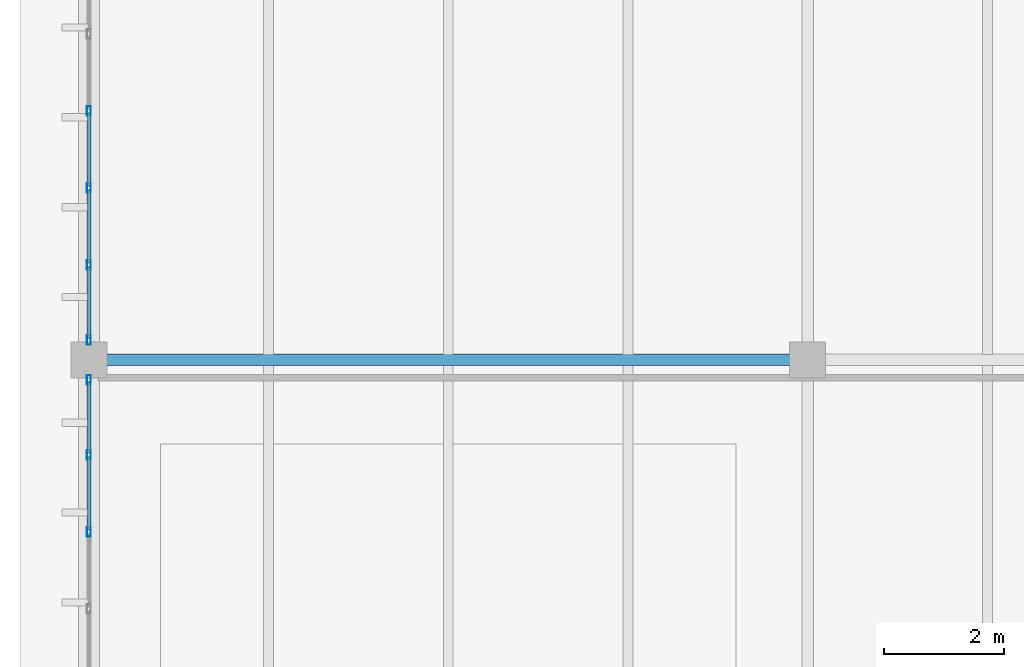
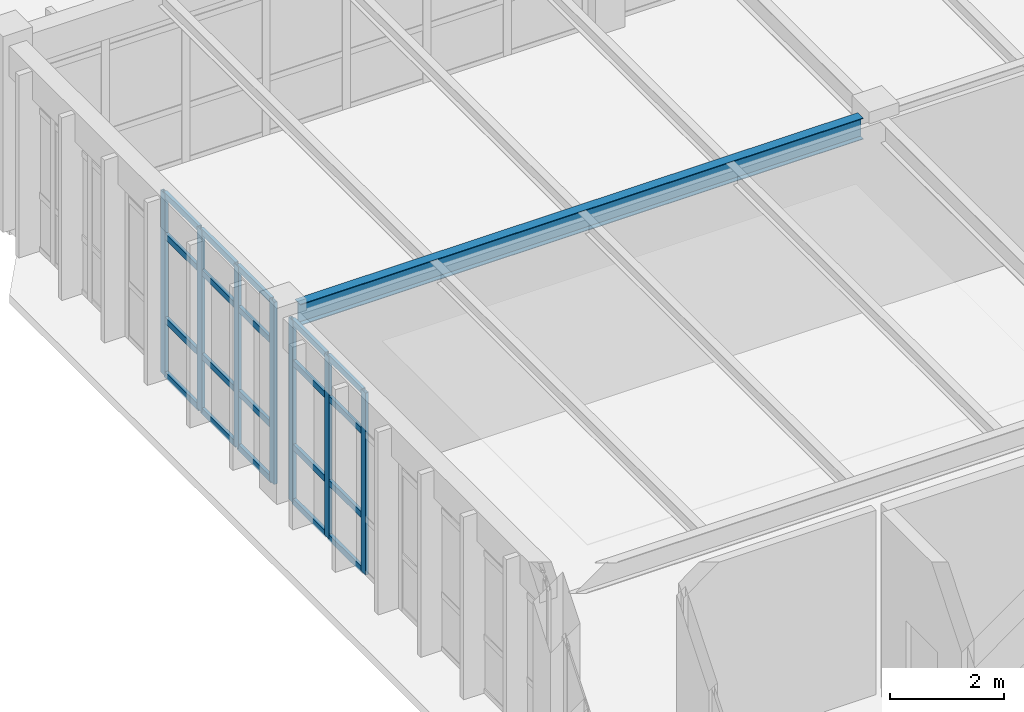
# One storey, part 16 of 37: 27 members, 1 beam, 2 elements without a shape of their own.
"""IFC4 building model written with IfcOpenShell, lengths in metres."""

import ifcopenshell
import ifcopenshell.guid

model = None  # the IFC model being written
_history = None  # IfcOwnerHistory: only IFC2X3 demands one
_inside = {}  # id of a spatial element -> (the spatial element, [elements in it])
_under = {}  # id of a project, library or spatial element -> (it, [spatial elements below it])
_declared = {}  # id of a project -> (the project, [libraries it declares])
_typed = {}  # id of a type object -> (the type object, [elements of that type])
_made_of = {}  # id of a material, layer set ... -> (it, [elements and type objects made of it])


def new_model(schema):
    """Start an empty IFC model of exactly this schema.

    Asked for "IFC4X3", IfcOpenShell would pick the latest addendum, in which some entities
    have other attributes; the version numbers below select the first issue.
    IFC2X3 requires an IfcOwnerHistory on every rooted entity: one is made here for all.
    """
    global model, _history
    if schema == "IFC4X3":
        model = ifcopenshell.file(schema_version=(4, 3, 0, 0))
    else:
        model = ifcopenshell.file(schema=schema)
    _inside.clear()
    _under.clear()
    _declared.clear()
    _typed.clear()
    _made_of.clear()
    _history = None
    if model.schema == "IFC2X3":
        org = make("IfcOrganization", Name="unknown")
        user = make(
            "IfcPersonAndOrganization",
            ThePerson=make("IfcPerson", FamilyName="unknown"),
            TheOrganization=org,
        )
        app = make(
            "IfcApplication",
            ApplicationDeveloper=org,
            Version="unknown",
            ApplicationFullName="unknown",
            ApplicationIdentifier="unknown",
        )
        _history = make(
            "IfcOwnerHistory",
            OwningUser=user,
            OwningApplication=app,
            ChangeAction="ADDED",
            CreationDate=0,
        )
    return model


def make(cls, **values):
    """One entity of the class cls with the attributes given. An attribute that is None is left unset."""
    return model.create_entity(
        cls, **{name: value for name, value in values.items() if value is not None}
    )


def rooted(cls, **values):
    """An entity with a GlobalId (a new one), such as an element, a storey or a relation."""
    return make(cls, GlobalId=ifcopenshell.guid.new(), OwnerHistory=_history, **values)


def si_unit(unit_type, name, prefix=None):
    """IfcSIUnit, for example si_unit("LENGTHUNIT", "METRE", prefix="MILLI")."""
    return make("IfcSIUnit", UnitType=unit_type, Prefix=prefix, Name=name)


def assignment(units):
    """IfcUnitAssignment: the units of a project."""
    return None if units is None else make("IfcUnitAssignment", Units=units)


def point(xyz):
    """IfcCartesianPoint."""
    return None if xyz is None else make("IfcCartesianPoint", Coordinates=xyz)


def direction(xyz):
    """IfcDirection."""
    return None if xyz is None else make("IfcDirection", DirectionRatios=xyz)


def frame(location, z_axis=None, x_axis=None):
    """IfcAxis2Placement3D, a coordinate frame: its origin and axes. An axis left out is left unset."""
    return make(
        "IfcAxis2Placement3D",
        Location=point(location),
        Axis=direction(z_axis),
        RefDirection=direction(x_axis),
    )


def frame_2d(location, x_axis=None):
    """IfcAxis2Placement2D, a coordinate frame in the plane: its origin and x axis."""
    return make(
        "IfcAxis2Placement2D", Location=point(location), RefDirection=direction(x_axis)
    )


def origin():
    """The frame at (0, 0, 0) with its axes left unset."""
    return frame((0.0, 0.0, 0.0))


def origin_2d():
    """The frame at (0, 0) in the plane with its x axis left unset."""
    return frame_2d((0.0, 0.0))


def place(relative_to, where):
    """IfcLocalPlacement: puts the frame where relative to a parent placement (None: the world)."""
    return make(
        "IfcLocalPlacement", PlacementRelTo=relative_to, RelativePlacement=where
    )


def context(
    kind, dimensions, precision=None, world=None, true_north=None, identifier=None
):
    """IfcGeometricRepresentationContext, for example the 3D "Model" context."""
    return make(
        "IfcGeometricRepresentationContext",
        ContextIdentifier=identifier,
        ContextType=kind,
        CoordinateSpaceDimension=dimensions,
        Precision=precision,
        WorldCoordinateSystem=world,
        TrueNorth=true_north,
    )


def subcontext(parent, identifier, kind, view, scale=None):
    """IfcGeometricRepresentationSubContext, for example "Body" below "Model"."""
    return make(
        "IfcGeometricRepresentationSubContext",
        ContextIdentifier=identifier,
        ContextType=kind,
        ParentContext=parent,
        TargetScale=scale,
        TargetView=view,
    )


def project(units=None, contexts=None):
    """IfcProject with its units and contexts."""
    return rooted(
        "IfcProject",
        Name="project",
        RepresentationContexts=contexts,
        UnitsInContext=assignment(units),
    )


def spatial(cls, under=None, at=None, **own):
    """A site, building, storey or space (cls), placed at a placement, below another one or the project."""
    s = rooted(cls, ObjectPlacement=at, **own)
    if under is not None:
        _under.setdefault(under.id(), (under, []))[1].append(s)
    return s


def profile(cls, at=None, kind="AREA", **sizes):
    """A parametric profile (cls). Its sizes go by their IFC names, for example OverallWidth=200.0."""
    return make(cls, ProfileType=kind, Position=at, **sizes)


def hollow_rectangle(**sizes):
    """IfcRectangleHollowProfileDef."""
    return profile("IfcRectangleHollowProfileDef", **sizes)


def i_section(**sizes):
    """IfcIShapeProfileDef."""
    return profile("IfcIShapeProfileDef", **sizes)


def extrude(swept, where, along, depth):
    """IfcExtrudedAreaSolid: the profile swept, set in the frame where, extruded along a direction by depth."""
    return make(
        "IfcExtrudedAreaSolid",
        SweptArea=swept,
        Position=where,
        ExtrudedDirection=direction(along),
        Depth=depth,
    )


def shape(context_of_items, identifier, shape_type, items):
    """IfcShapeRepresentation: the items that make up one representation, for example the "Body"."""
    return make(
        "IfcShapeRepresentation",
        ContextOfItems=context_of_items,
        RepresentationIdentifier=identifier,
        RepresentationType=shape_type,
        Items=items,
    )


def material(Name=None, Category=None):
    """IfcMaterial."""
    return make("IfcMaterial", Name=Name, Category=Category)


def layer(
    of_material, thickness, ventilated=None, Name=None, Category=None, Priority=None
):
    """IfcMaterialLayer: one layer of a wall or slab, of a material (None: an air gap)."""
    return make(
        "IfcMaterialLayer",
        Material=of_material,
        LayerThickness=thickness,
        IsVentilated=ventilated,
        Name=Name,
        Category=Category,
        Priority=Priority,
    )


def layer_set(layers, Name=None):
    """IfcMaterialLayerSet."""
    return make("IfcMaterialLayerSet", MaterialLayers=layers, LayerSetName=Name)


def material_profile(
    of_material, cross_section, Name=None, Category=None, Priority=None
):
    """IfcMaterialProfile: a cross section and its material."""
    return make(
        "IfcMaterialProfile",
        Name=Name,
        Material=of_material,
        Profile=cross_section,
        Priority=Priority,
        Category=Category,
    )


def profile_set(profiles, Name=None, composite=None):
    """IfcMaterialProfileSet."""
    return make(
        "IfcMaterialProfileSet",
        Name=Name,
        MaterialProfiles=profiles,
        CompositeProfile=composite,
    )


def made_of(thing, what):
    """Note that an element or type object is made of a material, layer set ...; save() writes the relation."""
    if what is not None:
        _made_of.setdefault(what.id(), (what, []))[1].append(thing)
    return thing


def type_object(cls, material=None, **own):
    """A type object (cls), such as IfcWallType, which elements share."""
    return made_of(rooted(cls, **own), material)


def element(
    cls,
    number,
    at=None,
    inside=None,
    cuts=None,
    type_object=None,
    material=None,
    context=None,
    identifier="Body",
    shape_type=None,
    held_by="IfcProductDefinitionShape",
    body=None,
    shapes=None,
    **own,
):
    """One element of the class cls, such as IfcWall. Its Tag is "e" and its number.

    at: its placement. inside: the storey or other place that contains it. cuts: it is an
    opening in that element (IfcRelVoidsElement). A single representation is given by context,
    identifier, shape_type and body (its items); several are given by shapes. held_by: the class
    of the entity that holds the representations. save() writes the other relations.
    """
    e = rooted(cls, Tag="e%d" % number, ObjectPlacement=at, **own)
    if body is not None:
        shapes = [shape(context, identifier, shape_type, body)]
    if shapes is not None:
        e.Representation = make(held_by, Representations=shapes)
    if inside is not None:
        _inside.setdefault(inside.id(), (inside, []))[1].append(e)
    if cuts is not None:
        rooted(
            "IfcRelVoidsElement", RelatingBuildingElement=cuts, RelatedOpeningElement=e
        )
    if type_object is not None:
        _typed.setdefault(type_object.id(), (type_object, []))[1].append(e)
    return made_of(e, material)


def aggregate(whole, parts):
    """IfcRelAggregates: a whole, such as a stair, and the parts it consists of."""
    return rooted("IfcRelAggregates", RelatingObject=whole, RelatedObjects=parts)


def save(model, path):
    """Write the relations noted so far, then the file.

    IfcRelAggregates (storeys below a building ...), IfcRelContainedInSpatialStructure (elements
    in a storey), IfcRelDefinesByType, IfcRelAssociatesMaterial and IfcRelDeclares: one each for
    every whole, place, type object, material and project.
    """
    for whole, parts in _under.values():
        aggregate(whole, parts)
    for where, things in _inside.values():
        rooted(
            "IfcRelContainedInSpatialStructure",
            RelatedElements=things,
            RelatingStructure=where,
        )
    for kind, things in _typed.values():
        rooted("IfcRelDefinesByType", RelatedObjects=things, RelatingType=kind)
    for what, things in _made_of.values():
        rooted("IfcRelAssociatesMaterial", RelatedObjects=things, RelatingMaterial=what)
    for by, libraries in _declared.values():
        rooted("IfcRelDeclares", RelatingContext=by, RelatedDefinitions=libraries)
    model.write(path)


model = new_model("IFC4")

# Units and contexts
model_context = context("Model", 3, precision=1e-05, world=origin(), true_north=direction((0.0, 1.0)))
body_context = subcontext(model_context, "Body", "Model", "MODEL_VIEW")
ifc_project = project(units=[si_unit("LENGTHUNIT", "METRE"), si_unit("AREAUNIT", "SQUARE_METRE"), si_unit("VOLUMEUNIT", "CUBIC_METRE"), si_unit("PLANEANGLEUNIT", "RADIAN"), si_unit("MASSUNIT", "GRAM", prefix="KILO")], contexts=[model_context])

# Site, building, storey
site_placement = place(None, origin())
site = spatial("IfcSite", under=ifc_project, at=site_placement, CompositionType="ELEMENT")
building_placement = place(site_placement, origin())
building = spatial("IfcBuilding", under=site, at=building_placement, Name="Pandanus Reach Market Hall", CompositionType="ELEMENT")
storey_placement = place(building_placement, frame((0.0, 0.0, 14.39990234375)))
storey = spatial("IfcBuildingStorey", under=building, at=storey_placement, Name="L03", CompositionType="ELEMENT", Elevation=14.39990234375)

# Beam
ifc_material_1 = material(Name="Steel Grade 350 (350 MPa)", Category="steel")
ifc_material_profile_1 = material_profile(ifc_material_1, i_section(OverallWidth=0.18994140625, OverallDepth=0.45703125, WebThickness=0.009033203125, FlangeThickness=0.014404296875, at=origin_2d()), Name="460UB74.6", Category="LoadBearing")
ifc_profile_set_1 = profile_set([ifc_material_profile_1], Name="Steel Grade 350 (350 MPa)")
beam_type = type_object("IfcBeamType", Name="BM-UB460-I", PredefinedType="BEAM", material=ifc_profile_set_1)
beam_placement = place(storey_placement, frame((144.298095703125, 67.199951171875, 3.726318359375), z_axis=(1.0, 0.0, 0.0), x_axis=(0.0, 1.0, 0.0)))
element("IfcBeam", 1, at=beam_placement, inside=storey, type_object=beam_type, Name="Framing beam BM-UB460-I L03.548", PredefinedType="BEAM", context=body_context, shape_type="SweptSolid", body=[
    extrude(i_section(OverallWidth=0.18994140625, OverallDepth=0.45703125, WebThickness=0.009033203125, FlangeThickness=0.014404296875, at=origin_2d()), origin(), (0.0, 0.0, 1.0), 11.40380859375),
])

# Curtain wall, members
ifc_material_2 = material(Name="Bronze anodised aluminium and low-E glass", Category="aluminium")
ifc_layer = layer(ifc_material_2, 0.159912109375, Name="CW-33")
ifc_layer_set = layer_set([ifc_layer], Name="Bronze anodised aluminium and low-E glass")
curtain_wall_type = type_object("IfcCurtainWallType", Name="CW-33", PredefinedType="NOTDEFINED", material=ifc_layer_set)
curtain_wall_1_placement = place(storey_placement, origin())
curtain_wall_1 = element("IfcCurtainWall", 2, at=curtain_wall_1_placement, inside=storey, type_object=curtain_wall_type, Name="Glazed curtain wall CW-33 CW-0125", PredefinedType="NOTDEFINED")
ifc_material_3 = material(Name="Bronze anodised aluminium", Category="aluminium")
ifc_material_profile_2 = material_profile(ifc_material_3, hollow_rectangle(XDim=0.06494140625, YDim=0.159912109375, WallThickness=0.00390625, at=origin_2d()), Name="ALU65x160", Category="LoadBearing")
ifc_profile_set_2 = profile_set([ifc_material_profile_2], Name="Bronze anodised aluminium")
member_type_1 = type_object("IfcMemberType", Name="CW-M1", PredefinedType="MULLION", material=ifc_profile_set_2)
member_1_placement = place(storey_placement, frame((144.0, 64.32861328125, 0.0), z_axis=(0.0, 0.0, 1.0), x_axis=(-1.0, 0.0, 0.0)))
member_1 = element("IfcMember", 3, at=member_1_placement, type_object=member_type_1, Name="CW-33 mullion 6", PredefinedType="MULLION", context=body_context, shape_type="SweptSolid", body=[
    extrude(hollow_rectangle(XDim=0.06494140625, YDim=0.159912109375, WallThickness=0.00390625, at=origin_2d()), origin(), (0.0, 0.0, 1.0), 3.900146484375),
])
member_2_placement = place(storey_placement, frame((144.0, 65.6142578125, 0.0), z_axis=(0.0, 0.0, 1.0), x_axis=(-1.0, 0.0, 0.0)))
member_2 = element("IfcMember", 4, at=member_2_placement, type_object=member_type_1, Name="CW-33 mullion 7", PredefinedType="MULLION", context=body_context, shape_type="SweptSolid", body=[
    extrude(hollow_rectangle(XDim=0.06494140625, YDim=0.159912109375, WallThickness=0.00390625, at=origin_2d()), origin(), (0.0, 0.0, 1.0), 3.900146484375),
])
member_3_placement = place(storey_placement, frame((144.0, 66.867431640625, 0.0), z_axis=(0.0, 0.0, 1.0), x_axis=(-1.0, 0.0, 0.0)))
member_3 = element("IfcMember", 5, at=member_3_placement, type_object=member_type_1, Name="CW-33 mullion 8", PredefinedType="MULLION", context=body_context, shape_type="SweptSolid", body=[
    extrude(hollow_rectangle(XDim=0.06494140625, YDim=0.159912109375, WallThickness=0.00390625, at=origin_2d()), origin(), (0.0, 0.0, 1.0), 3.900146484375),
])

curtain_wall_2_placement = place(storey_placement, origin())
curtain_wall_2 = element("IfcCurtainWall", 6, at=curtain_wall_2_placement, inside=storey, type_object=curtain_wall_type, Name="Glazed curtain wall CW-33 CW-0126", PredefinedType="NOTDEFINED")
member_4_placement = place(storey_placement, frame((144.0, 67.532470703125, 0.0), z_axis=(0.0, 0.0, 1.0), x_axis=(-1.0, 0.0, 0.0)))
member_4 = element("IfcMember", 7, at=member_4_placement, type_object=member_type_1, Name="CW-33 mullion 1", PredefinedType="MULLION", context=body_context, shape_type="SweptSolid", body=[
    extrude(hollow_rectangle(XDim=0.06494140625, YDim=0.159912109375, WallThickness=0.00390625, at=origin_2d()), origin(), (0.0, 0.0, 1.0), 3.900146484375),
])
member_5_placement = place(storey_placement, frame((144.0, 68.78564453125, 0.0), z_axis=(0.0, 0.0, 1.0), x_axis=(-1.0, 0.0, 0.0)))
member_5 = element("IfcMember", 8, at=member_5_placement, type_object=member_type_1, Name="CW-33 mullion 2", PredefinedType="MULLION", context=body_context, shape_type="SweptSolid", body=[
    extrude(hollow_rectangle(XDim=0.06494140625, YDim=0.159912109375, WallThickness=0.00390625, at=origin_2d()), origin(), (0.0, 0.0, 1.0), 3.900146484375),
])
member_6_placement = place(storey_placement, frame((144.0, 70.071533203125, 0.0), z_axis=(0.0, 0.0, 1.0), x_axis=(-1.0, 0.0, 0.0)))
member_6 = element("IfcMember", 9, at=member_6_placement, type_object=member_type_1, Name="CW-33 mullion 3", PredefinedType="MULLION", context=body_context, shape_type="SweptSolid", body=[
    extrude(hollow_rectangle(XDim=0.06494140625, YDim=0.159912109375, WallThickness=0.00390625, at=origin_2d()), origin(), (0.0, 0.0, 1.0), 3.900146484375),
])
member_7_placement = place(storey_placement, frame((144.0, 71.357177734375, 0.0), z_axis=(0.0, 0.0, 1.0), x_axis=(-1.0, 0.0, 0.0)))
member_7 = element("IfcMember", 10, at=member_7_placement, type_object=member_type_1, Name="CW-33 mullion 4", PredefinedType="MULLION", context=body_context, shape_type="SweptSolid", body=[
    extrude(hollow_rectangle(XDim=0.06494140625, YDim=0.159912109375, WallThickness=0.00390625, at=origin_2d()), origin(), (0.0, 0.0, 1.0), 3.900146484375),
])

# Member
ifc_material_profile_3 = material_profile(ifc_material_3, hollow_rectangle(XDim=0.06494140625, YDim=0.1298828125, WallThickness=0.00390625, at=origin_2d()), Name="ALU65x130", Category="LoadBearing")
ifc_profile_set_3 = profile_set([ifc_material_profile_3], Name="Bronze anodised aluminium")
member_type_2 = type_object("IfcMemberType", Name="CW-T1", PredefinedType="USERDEFINED", material=ifc_profile_set_3)
member_8_placement = place(storey_placement, frame((144.0, 64.361083984375, 0.03271484375), z_axis=(0.0, 1.0, 0.0), x_axis=(-1.0, 0.0, 0.0)))
member_8 = element("IfcMember", 11, at=member_8_placement, type_object=member_type_2, Name="CW-33 transom 6.1", ObjectType="TRANSOM", PredefinedType="USERDEFINED", context=body_context, shape_type="SweptSolid", body=[
    extrude(hollow_rectangle(XDim=0.06494140625, YDim=0.1298828125, WallThickness=0.00390625, at=origin_2d()), origin(), (0.0, 0.0, 1.0), 1.220703125),
])

member_9_placement = place(storey_placement, frame((144.0, 64.361083984375, 1.2001953125), z_axis=(0.0, 1.0, 0.0), x_axis=(-1.0, 0.0, 0.0)))
member_9 = element("IfcMember", 12, at=member_9_placement, type_object=member_type_2, Name="CW-33 transom 6.2", ObjectType="TRANSOM", PredefinedType="USERDEFINED", context=body_context, shape_type="SweptSolid", body=[
    extrude(hollow_rectangle(XDim=0.06494140625, YDim=0.1298828125, WallThickness=0.00390625, at=origin_2d()), origin(), (0.0, 0.0, 1.0), 1.220703125),
])

member_10_placement = place(storey_placement, frame((144.0, 64.361083984375, 3.0), z_axis=(0.0, 1.0, 0.0), x_axis=(-1.0, 0.0, 0.0)))
member_10 = element("IfcMember", 13, at=member_10_placement, type_object=member_type_2, Name="CW-33 transom 6.3", ObjectType="TRANSOM", PredefinedType="USERDEFINED", context=body_context, shape_type="SweptSolid", body=[
    extrude(hollow_rectangle(XDim=0.06494140625, YDim=0.1298828125, WallThickness=0.00390625, at=origin_2d()), origin(), (0.0, 0.0, 1.0), 1.220703125),
])

member_11_placement = place(storey_placement, frame((144.0, 64.361083984375, 3.86767578125), z_axis=(0.0, 1.0, 0.0), x_axis=(-1.0, 0.0, 0.0)))
member_11 = element("IfcMember", 14, at=member_11_placement, type_object=member_type_2, Name="CW-33 transom 6.4", ObjectType="TRANSOM", PredefinedType="USERDEFINED", context=body_context, shape_type="SweptSolid", body=[
    extrude(hollow_rectangle(XDim=0.06494140625, YDim=0.1298828125, WallThickness=0.00390625, at=origin_2d()), origin(), (0.0, 0.0, 1.0), 1.220703125),
])

member_12_placement = place(storey_placement, frame((144.0, 65.646728515625, 0.03271484375), z_axis=(0.0, 1.0, 0.0), x_axis=(-1.0, 0.0, 0.0)))
member_12 = element("IfcMember", 15, at=member_12_placement, type_object=member_type_2, Name="CW-33 transom 7.1", ObjectType="TRANSOM", PredefinedType="USERDEFINED", context=body_context, shape_type="SweptSolid", body=[
    extrude(hollow_rectangle(XDim=0.06494140625, YDim=0.1298828125, WallThickness=0.00390625, at=origin_2d()), origin(), (0.0, 0.0, 1.0), 1.188232421875),
])

member_13_placement = place(storey_placement, frame((144.0, 65.646728515625, 1.2001953125), z_axis=(0.0, 1.0, 0.0), x_axis=(-1.0, 0.0, 0.0)))
member_13 = element("IfcMember", 16, at=member_13_placement, type_object=member_type_2, Name="CW-33 transom 7.2", ObjectType="TRANSOM", PredefinedType="USERDEFINED", context=body_context, shape_type="SweptSolid", body=[
    extrude(hollow_rectangle(XDim=0.06494140625, YDim=0.1298828125, WallThickness=0.00390625, at=origin_2d()), origin(), (0.0, 0.0, 1.0), 1.188232421875),
])

member_14_placement = place(storey_placement, frame((144.0, 65.646728515625, 3.0), z_axis=(0.0, 1.0, 0.0), x_axis=(-1.0, 0.0, 0.0)))
member_14 = element("IfcMember", 17, at=member_14_placement, type_object=member_type_2, Name="CW-33 transom 7.3", ObjectType="TRANSOM", PredefinedType="USERDEFINED", context=body_context, shape_type="SweptSolid", body=[
    extrude(hollow_rectangle(XDim=0.06494140625, YDim=0.1298828125, WallThickness=0.00390625, at=origin_2d()), origin(), (0.0, 0.0, 1.0), 1.188232421875),
])

member_15_placement = place(storey_placement, frame((144.0, 65.646728515625, 3.86767578125), z_axis=(0.0, 1.0, 0.0), x_axis=(-1.0, 0.0, 0.0)))
member_15 = element("IfcMember", 18, at=member_15_placement, type_object=member_type_2, Name="CW-33 transom 7.4", ObjectType="TRANSOM", PredefinedType="USERDEFINED", context=body_context, shape_type="SweptSolid", body=[
    extrude(hollow_rectangle(XDim=0.06494140625, YDim=0.1298828125, WallThickness=0.00390625, at=origin_2d()), origin(), (0.0, 0.0, 1.0), 1.188232421875),
])

aggregate(curtain_wall_1, [member_1, member_2, member_3, member_8, member_9, member_10, member_11, member_12, member_13, member_14, member_15])

member_16_placement = place(storey_placement, frame((144.0, 67.56494140625, 0.03271484375), z_axis=(0.0, 1.0, 0.0), x_axis=(-1.0, 0.0, 0.0)))
member_16 = element("IfcMember", 19, at=member_16_placement, type_object=member_type_2, Name="CW-33 transom 1.1", ObjectType="TRANSOM", PredefinedType="USERDEFINED", context=body_context, shape_type="SweptSolid", body=[
    extrude(hollow_rectangle(XDim=0.06494140625, YDim=0.1298828125, WallThickness=0.00390625, at=origin_2d()), origin(), (0.0, 0.0, 1.0), 1.188232421875),
])

member_17_placement = place(storey_placement, frame((144.0, 67.56494140625, 1.2001953125), z_axis=(0.0, 1.0, 0.0), x_axis=(-1.0, 0.0, 0.0)))
member_17 = element("IfcMember", 20, at=member_17_placement, type_object=member_type_2, Name="CW-33 transom 1.2", ObjectType="TRANSOM", PredefinedType="USERDEFINED", context=body_context, shape_type="SweptSolid", body=[
    extrude(hollow_rectangle(XDim=0.06494140625, YDim=0.1298828125, WallThickness=0.00390625, at=origin_2d()), origin(), (0.0, 0.0, 1.0), 1.188232421875),
])

member_18_placement = place(storey_placement, frame((144.0, 67.56494140625, 3.0), z_axis=(0.0, 1.0, 0.0), x_axis=(-1.0, 0.0, 0.0)))
member_18 = element("IfcMember", 21, at=member_18_placement, type_object=member_type_2, Name="CW-33 transom 1.3", ObjectType="TRANSOM", PredefinedType="USERDEFINED", context=body_context, shape_type="SweptSolid", body=[
    extrude(hollow_rectangle(XDim=0.06494140625, YDim=0.1298828125, WallThickness=0.00390625, at=origin_2d()), origin(), (0.0, 0.0, 1.0), 1.188232421875),
])

member_19_placement = place(storey_placement, frame((144.0, 67.56494140625, 3.86767578125), z_axis=(0.0, 1.0, 0.0), x_axis=(-1.0, 0.0, 0.0)))
member_19 = element("IfcMember", 22, at=member_19_placement, type_object=member_type_2, Name="CW-33 transom 1.4", ObjectType="TRANSOM", PredefinedType="USERDEFINED", context=body_context, shape_type="SweptSolid", body=[
    extrude(hollow_rectangle(XDim=0.06494140625, YDim=0.1298828125, WallThickness=0.00390625, at=origin_2d()), origin(), (0.0, 0.0, 1.0), 1.188232421875),
])

member_20_placement = place(storey_placement, frame((144.0, 68.818115234375, 0.03271484375), z_axis=(0.0, 1.0, 0.0), x_axis=(-1.0, 0.0, 0.0)))
member_20 = element("IfcMember", 23, at=member_20_placement, type_object=member_type_2, Name="CW-33 transom 2.1", ObjectType="TRANSOM", PredefinedType="USERDEFINED", context=body_context, shape_type="SweptSolid", body=[
    extrude(hollow_rectangle(XDim=0.06494140625, YDim=0.1298828125, WallThickness=0.00390625, at=origin_2d()), origin(), (0.0, 0.0, 1.0), 1.220703125),
])

member_21_placement = place(storey_placement, frame((144.0, 68.818115234375, 1.2001953125), z_axis=(0.0, 1.0, 0.0), x_axis=(-1.0, 0.0, 0.0)))
member_21 = element("IfcMember", 24, at=member_21_placement, type_object=member_type_2, Name="CW-33 transom 2.2", ObjectType="TRANSOM", PredefinedType="USERDEFINED", context=body_context, shape_type="SweptSolid", body=[
    extrude(hollow_rectangle(XDim=0.06494140625, YDim=0.1298828125, WallThickness=0.00390625, at=origin_2d()), origin(), (0.0, 0.0, 1.0), 1.220703125),
])

member_22_placement = place(storey_placement, frame((144.0, 68.818115234375, 3.0), z_axis=(0.0, 1.0, 0.0), x_axis=(-1.0, 0.0, 0.0)))
member_22 = element("IfcMember", 25, at=member_22_placement, type_object=member_type_2, Name="CW-33 transom 2.3", ObjectType="TRANSOM", PredefinedType="USERDEFINED", context=body_context, shape_type="SweptSolid", body=[
    extrude(hollow_rectangle(XDim=0.06494140625, YDim=0.1298828125, WallThickness=0.00390625, at=origin_2d()), origin(), (0.0, 0.0, 1.0), 1.220703125),
])

member_23_placement = place(storey_placement, frame((144.0, 68.818115234375, 3.86767578125), z_axis=(0.0, 1.0, 0.0), x_axis=(-1.0, 0.0, 0.0)))
member_23 = element("IfcMember", 26, at=member_23_placement, type_object=member_type_2, Name="CW-33 transom 2.4", ObjectType="TRANSOM", PredefinedType="USERDEFINED", context=body_context, shape_type="SweptSolid", body=[
    extrude(hollow_rectangle(XDim=0.06494140625, YDim=0.1298828125, WallThickness=0.00390625, at=origin_2d()), origin(), (0.0, 0.0, 1.0), 1.220703125),
])

member_24_placement = place(storey_placement, frame((144.0, 70.10400390625, 0.03271484375), z_axis=(0.0, 1.0, 0.0), x_axis=(-1.0, 0.0, 0.0)))
member_24 = element("IfcMember", 27, at=member_24_placement, type_object=member_type_2, Name="CW-33 transom 3.1", ObjectType="TRANSOM", PredefinedType="USERDEFINED", context=body_context, shape_type="SweptSolid", body=[
    extrude(hollow_rectangle(XDim=0.06494140625, YDim=0.1298828125, WallThickness=0.00390625, at=origin_2d()), origin(), (0.0, 0.0, 1.0), 1.220703125),
])

member_25_placement = place(storey_placement, frame((144.0, 70.10400390625, 1.2001953125), z_axis=(0.0, 1.0, 0.0), x_axis=(-1.0, 0.0, 0.0)))
member_25 = element("IfcMember", 28, at=member_25_placement, type_object=member_type_2, Name="CW-33 transom 3.2", ObjectType="TRANSOM", PredefinedType="USERDEFINED", context=body_context, shape_type="SweptSolid", body=[
    extrude(hollow_rectangle(XDim=0.06494140625, YDim=0.1298828125, WallThickness=0.00390625, at=origin_2d()), origin(), (0.0, 0.0, 1.0), 1.220703125),
])

member_26_placement = place(storey_placement, frame((144.0, 70.10400390625, 3.0), z_axis=(0.0, 1.0, 0.0), x_axis=(-1.0, 0.0, 0.0)))
member_26 = element("IfcMember", 29, at=member_26_placement, type_object=member_type_2, Name="CW-33 transom 3.3", ObjectType="TRANSOM", PredefinedType="USERDEFINED", context=body_context, shape_type="SweptSolid", body=[
    extrude(hollow_rectangle(XDim=0.06494140625, YDim=0.1298828125, WallThickness=0.00390625, at=origin_2d()), origin(), (0.0, 0.0, 1.0), 1.220703125),
])

member_27_placement = place(storey_placement, frame((144.0, 70.10400390625, 3.86767578125), z_axis=(0.0, 1.0, 0.0), x_axis=(-1.0, 0.0, 0.0)))
member_27 = element("IfcMember", 30, at=member_27_placement, type_object=member_type_2, Name="CW-33 transom 3.4", ObjectType="TRANSOM", PredefinedType="USERDEFINED", context=body_context, shape_type="SweptSolid", body=[
    extrude(hollow_rectangle(XDim=0.06494140625, YDim=0.1298828125, WallThickness=0.00390625, at=origin_2d()), origin(), (0.0, 0.0, 1.0), 1.220703125),
])

aggregate(curtain_wall_2, [member_4, member_5, member_6, member_7, member_16, member_17, member_18, member_19, member_20, member_21, member_22, member_23, member_24, member_25, member_26, member_27])

save(model, "model.ifc")
